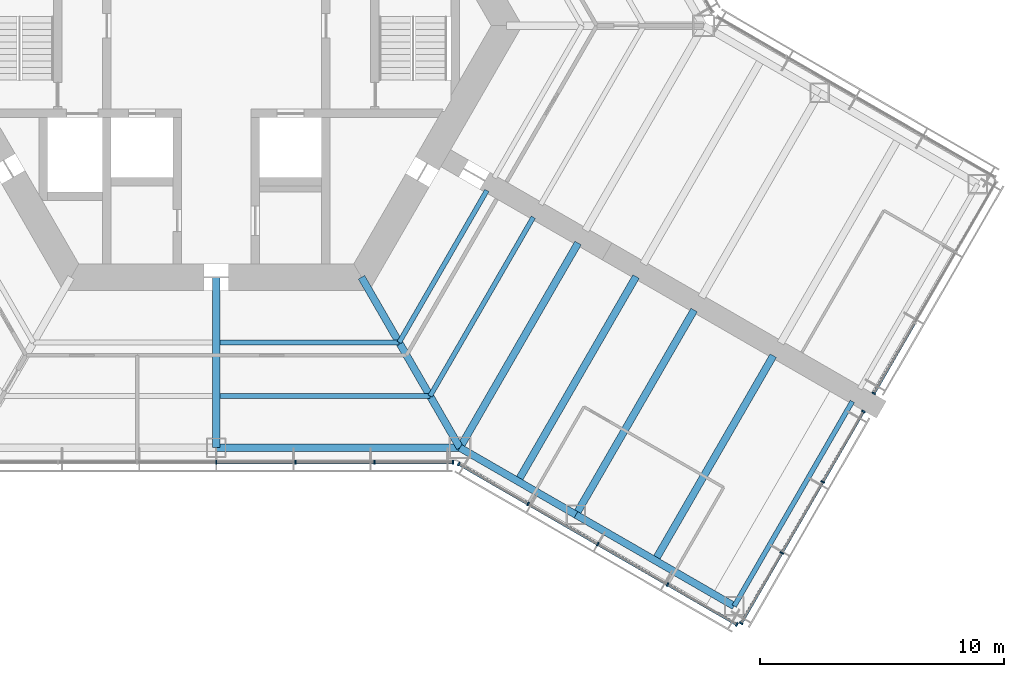
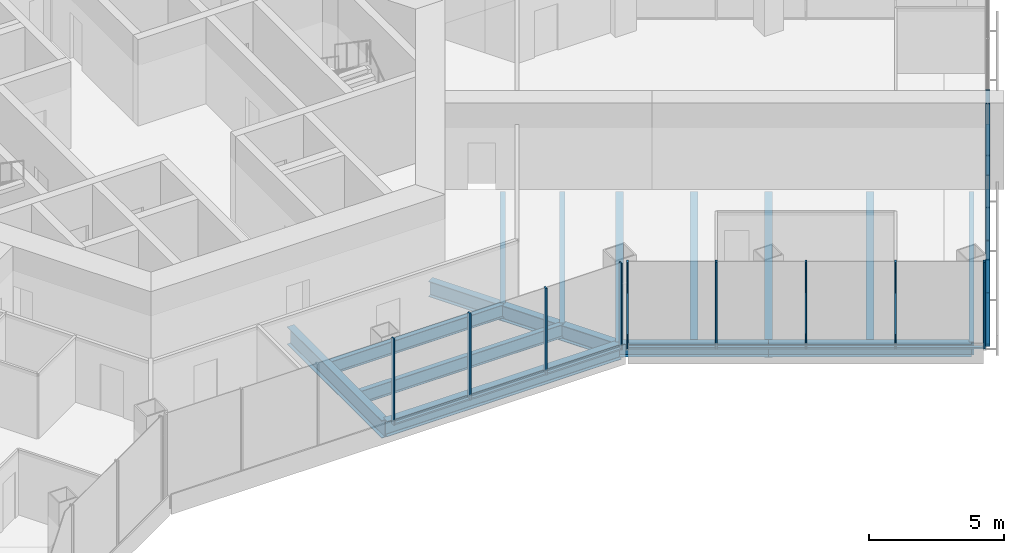
# One storey, part 5 of 18: 25 members, 14 beams, 4 elements without a shape of their own.
"""IFC4 building model written with IfcOpenShell, lengths in metres."""

from ifc_helpers import new_model, si_unit, direction, frame, origin, origin_2d, place, context, subcontext, project, spatial, rectangle, i_section, extrude, material, material_profile, profile_set, type_object, element, aggregate, save


model = new_model("IFC4")

# Units and contexts
model_context = context("Model", 3, precision=1e-05, world=origin(), true_north=direction((0.0, 1.0)))
body_context = subcontext(model_context, "Body", "Model", "MODEL_VIEW")
ifc_project = project(units=[si_unit("LENGTHUNIT", "METRE"), si_unit("AREAUNIT", "SQUARE_METRE"), si_unit("VOLUMEUNIT", "CUBIC_METRE"), si_unit("PLANEANGLEUNIT", "RADIAN"), si_unit("MASSUNIT", "GRAM", prefix="KILO")], contexts=[model_context])

# Site, building, storey
site_placement = place(None, origin())
site = spatial("IfcSite", under=ifc_project, at=site_placement, CompositionType="ELEMENT")
building_placement = place(site_placement, origin())
building = spatial("IfcBuilding", under=site, at=building_placement, Name="Kasaneha Research Tower", CompositionType="ELEMENT")
storey_placement = place(building_placement, frame((0.0, 0.0, 80.699951171875)))
storey = spatial("IfcBuildingStorey", under=building, at=storey_placement, Name="L20", CompositionType="ELEMENT", Elevation=80.699951171875)

# Beams
ifc_material_1 = material(Name="Steel SN490B", Category="steel")
ifc_material_profile_1 = material_profile(ifc_material_1, i_section(OverallWidth=0.199951171875, OverallDepth=0.60009765625, WebThickness=0.010986328125, FlangeThickness=0.01708984375, FilletRadius=0.012939453125, at=origin_2d()), Name="H-600x200x11x17")
ifc_profile_set_1 = profile_set([ifc_material_profile_1], Name="Steel SN490B")
beam_type_1 = type_object("IfcBeamType", Name="B1-3 secondary beam H-600x200x11x17", PredefinedType="JOIST", material=ifc_profile_set_1)
beam_1_placement = place(storey_placement, frame((7.505615234375, -13.0, -0.449951171875), z_axis=(-1.0, 0.0, 0.0), x_axis=(0.0, -1.0, 0.0)))
element("IfcBeam", 1, at=beam_1_placement, inside=storey, type_object=beam_type_1, Name="Secondary beam RS270R1 L20", PredefinedType="JOIST", context=body_context, shape_type="SweptSolid", body=[
    extrude(i_section(OverallWidth=0.199951171875, OverallDepth=0.60009765625, WebThickness=0.010986328125, FlangeThickness=0.01708984375, FilletRadius=0.012939453125, at=origin_2d()), origin(), (0.0, 0.0, 1.0), 7.355712890625),
])
beam_2_placement = place(storey_placement, frame((8.775634765625, -15.199951171875, -0.449951171875), z_axis=(-1.0, 0.0, 0.0), x_axis=(0.0, -1.0, 0.0)))
element("IfcBeam", 2, at=beam_2_placement, inside=storey, type_object=beam_type_1, Name="Secondary beam RS270R2 L20", PredefinedType="JOIST", context=body_context, shape_type="SweptSolid", body=[
    extrude(i_section(OverallWidth=0.199951171875, OverallDepth=0.60009765625, WebThickness=0.010986328125, FlangeThickness=0.01708984375, FilletRadius=0.012939453125, at=origin_2d()), origin(), (0.0, 0.0, 1.0), 8.625732421875),
])
beam_3_placement = place(storey_placement, frame((7.505615234375, -13.0, -0.449951171875), z_axis=(0.499998147991, 0.86602647304, 0.0), x_axis=(-0.86602647304, 0.499998147991, 0.0)))
element("IfcBeam", 3, at=beam_3_placement, inside=storey, type_object=beam_type_1, Name="Secondary beam RS330L1 L20", PredefinedType="JOIST", context=body_context, shape_type="SweptSolid", body=[
    extrude(i_section(OverallWidth=0.199951171875, OverallDepth=0.60009765625, WebThickness=0.010986328125, FlangeThickness=0.01708984375, FilletRadius=0.012939453125, at=origin_2d()), origin(), (0.0, 0.0, 1.0), 7.20556640625),
])
beam_4_placement = place(storey_placement, frame((8.775634765625, -15.199951171875, -0.449951171875), z_axis=(0.500020829043, 0.866013377797, 0.0), x_axis=(-0.866013377797, 0.500020829043, 0.0)))
element("IfcBeam", 4, at=beam_4_placement, inside=storey, type_object=beam_type_1, Name="Secondary beam RS330L2 L20", PredefinedType="JOIST", context=body_context, shape_type="SweptSolid", body=[
    extrude(i_section(OverallWidth=0.199951171875, OverallDepth=0.60009765625, WebThickness=0.010986328125, FlangeThickness=0.01708984375, FilletRadius=0.012939453125, at=origin_2d()), origin(), (0.0, 0.0, 1.0), 8.475830078125),
])
ifc_material_2 = material(Name="Steel SN490B", Category="steel")
ifc_material_profile_2 = material_profile(ifc_material_2, i_section(OverallWidth=0.300048828125, OverallDepth=0.58203125, WebThickness=0.011962890625, FlangeThickness=0.01708984375, FilletRadius=0.012939453125, at=origin_2d()), Name="H-582x300x12x17")
ifc_profile_set_2 = profile_set([ifc_material_profile_2], Name="Steel SN490B")
beam_type_2 = type_object("IfcBeamType", Name="B2-3 secondary beam H-582x300x12x17", PredefinedType="JOIST", material=ifc_profile_set_2)
for number, where, z_axis, x_axis, name in (
    (5, (12.381591796875, -18.695556640625, -0.44091796875), (0.500010041276, 0.866019606374, 0.0), (-0.866019606374, 0.500010041276, 0.0), "Secondary beam WBCP1 L20"),
    (6, (18.0107421875, -21.945556640625, -0.44091796875), (0.500010041276, 0.866019606374, 0.0), (-0.866019606374, 0.500010041276, 0.0), "Secondary beam WBCP2 L20"),
):
    element("IfcBeam", number, at=place(storey_placement, frame(where, z_axis=z_axis, x_axis=x_axis)), inside=storey, type_object=beam_type_2, Name=name, PredefinedType="JOIST", context=body_context, shape_type="SweptSolid", body=[
        extrude(i_section(OverallWidth=0.300048828125, OverallDepth=0.58203125, WebThickness=0.011962890625, FlangeThickness=0.01708984375, FilletRadius=0.012939453125, at=origin_2d()), origin(), (0.0, 0.0, 1.0), 9.699951171875),
    ])

# Curtain wall, members
ifc_material_3 = material(Name="Glass and aluminium", Category="aluminium")
curtain_wall_type = type_object("IfcCurtainWallType", Name="Low-rise office curtain wall", PredefinedType="USERDEFINED", material=ifc_material_3)
curtain_wall_1_placement = place(storey_placement, origin())
curtain_wall_1 = element("IfcCurtainWall", 7, at=curtain_wall_1_placement, inside=storey, type_object=curtain_wall_type, Name="CW-O1 L20 run 02a", ObjectType="UNITISED CURTAIN WALL", PredefinedType="USERDEFINED")
ifc_material_4 = material(Name="Aluminium 6063-T6", Category="aluminium")
ifc_material_profile_3 = material_profile(ifc_material_4, rectangle(XDim=0.06005859375, YDim=0.159912109375, at=origin_2d()), Name="CW-O1 mullion 60x160")
ifc_profile_set_3 = profile_set([ifc_material_profile_3], Name="Aluminium 6063-T6")
member_type_1 = type_object("IfcMemberType", Name="CW-O1 mullion", PredefinedType="MULLION", material=ifc_profile_set_3)
member_1_placement = place(storey_placement, frame((0.0, -17.92041015625, 0.0), z_axis=(0.0, 0.0, 1.0), x_axis=(1.0, 0.0, 0.0)))
member_1 = element("IfcMember", 8, at=member_1_placement, type_object=member_type_1, Name="CW-O1 mullion 4", PredefinedType="MULLION", context=body_context, shape_type="SweptSolid", body=[
    extrude(rectangle(XDim=0.06005859375, YDim=0.159912109375, at=origin_2d()), origin(), (0.0, 0.0, 1.0), 3.900146484375),
])
member_2_placement = place(storey_placement, frame((3.246337890625, -17.92041015625, 0.0), z_axis=(0.0, 0.0, 1.0), x_axis=(1.0, 0.0, 0.0)))
member_2 = element("IfcMember", 9, at=member_2_placement, type_object=member_type_1, Name="CW-O1 mullion 5", PredefinedType="MULLION", context=body_context, shape_type="SweptSolid", body=[
    extrude(rectangle(XDim=0.06005859375, YDim=0.159912109375, at=origin_2d()), origin(), (0.0, 0.0, 1.0), 3.900146484375),
])
member_3_placement = place(storey_placement, frame((6.492919921875, -17.92041015625, 0.0), z_axis=(0.0, 0.0, 1.0), x_axis=(1.0, 0.0, 0.0)))
member_3 = element("IfcMember", 10, at=member_3_placement, type_object=member_type_1, Name="CW-O1 mullion 6", PredefinedType="MULLION", context=body_context, shape_type="SweptSolid", body=[
    extrude(rectangle(XDim=0.06005859375, YDim=0.159912109375, at=origin_2d()), origin(), (0.0, 0.0, 1.0), 3.900146484375),
])
member_4_placement = place(storey_placement, frame((9.709228515625, -17.92041015625, 0.0), z_axis=(0.0, 0.0, 1.0), x_axis=(1.0, 0.0, 0.0)))
member_4 = element("IfcMember", 11, at=member_4_placement, type_object=member_type_1, Name="CW-O1 mullion 7", PredefinedType="MULLION", context=body_context, shape_type="SweptSolid", body=[
    extrude(rectangle(XDim=0.06005859375, YDim=0.159912109375, at=origin_2d()), origin(), (0.0, 0.0, 1.0), 3.900146484375),
])

curtain_wall_2_placement = place(storey_placement, origin())
curtain_wall_2 = element("IfcCurtainWall", 12, at=curtain_wall_2_placement, inside=storey, type_object=curtain_wall_type, Name="CW-O1 L20 run 03a", ObjectType="UNITISED CURTAIN WALL", PredefinedType="USERDEFINED")
member_5_placement = place(storey_placement, frame((9.951904296875, -17.985595703125, 0.0), z_axis=(0.0, 0.0, 1.0), x_axis=(0.866025411464, -0.499999986699, 0.0)))
member_5 = element("IfcMember", 13, at=member_5_placement, type_object=member_type_1, Name="CW-O1 mullion 1", PredefinedType="MULLION", context=body_context, shape_type="SweptSolid", body=[
    extrude(rectangle(XDim=0.06005859375, YDim=0.159912109375, at=origin_2d()), origin(), (0.0, 0.0, 1.0), 3.900146484375),
])
member_6_placement = place(storey_placement, frame((12.792236328125, -19.62548828125, 0.0), z_axis=(0.0, 0.0, 1.0), x_axis=(0.866025411464, -0.499999986699, 0.0)))
member_6 = element("IfcMember", 14, at=member_6_placement, type_object=member_type_1, Name="CW-O1 mullion 2", PredefinedType="MULLION", context=body_context, shape_type="SweptSolid", body=[
    extrude(rectangle(XDim=0.06005859375, YDim=0.159912109375, at=origin_2d()), origin(), (0.0, 0.0, 1.0), 3.900146484375),
])
member_7_placement = place(storey_placement, frame((15.65869140625, -21.2802734375, 0.0), z_axis=(0.0, 0.0, 1.0), x_axis=(0.866025411464, -0.499999986699, 0.0)))
member_7 = element("IfcMember", 15, at=member_7_placement, type_object=member_type_1, Name="CW-O1 mullion 3", PredefinedType="MULLION", context=body_context, shape_type="SweptSolid", body=[
    extrude(rectangle(XDim=0.06005859375, YDim=0.159912109375, at=origin_2d()), origin(), (0.0, 0.0, 1.0), 3.900146484375),
])
member_8_placement = place(storey_placement, frame((18.52490234375, -22.935302734375, 0.0), z_axis=(0.0, 0.0, 1.0), x_axis=(0.866025411464, -0.499999986699, 0.0)))
member_8 = element("IfcMember", 16, at=member_8_placement, type_object=member_type_1, Name="CW-O1 mullion 4", PredefinedType="MULLION", context=body_context, shape_type="SweptSolid", body=[
    extrude(rectangle(XDim=0.06005859375, YDim=0.159912109375, at=origin_2d()), origin(), (0.0, 0.0, 1.0), 3.900146484375),
])
member_9_placement = place(storey_placement, frame((21.365478515625, -24.5751953125, 0.0), z_axis=(0.0, 0.0, 1.0), x_axis=(0.866025411464, -0.499999986699, 0.0)))
member_9 = element("IfcMember", 17, at=member_9_placement, type_object=member_type_1, Name="CW-O1 mullion 5", PredefinedType="MULLION", context=body_context, shape_type="SweptSolid", body=[
    extrude(rectangle(XDim=0.06005859375, YDim=0.159912109375, at=origin_2d()), origin(), (0.0, 0.0, 1.0), 3.900146484375),
])

curtain_wall_3_placement = place(storey_placement, origin())
curtain_wall_3 = element("IfcCurtainWall", 18, at=curtain_wall_3_placement, inside=storey, type_object=curtain_wall_type, Name="CW-O1 L20 run 04a", ObjectType="UNITISED CURTAIN WALL", PredefinedType="USERDEFINED")
member_10_placement = place(storey_placement, frame((21.54296875, -24.527587890625, 0.0), z_axis=(0.0, 0.0, 1.0), x_axis=(0.500000011442, 0.866025397178, 0.0)))
member_10 = element("IfcMember", 19, at=member_10_placement, type_object=member_type_1, Name="CW-O1 mullion 1", PredefinedType="MULLION", context=body_context, shape_type="SweptSolid", body=[
    extrude(rectangle(XDim=0.06005859375, YDim=0.159912109375, at=origin_2d()), origin(), (0.0, 0.0, 1.0), 3.900146484375),
])
member_11_placement = place(storey_placement, frame((23.211181640625, -21.637939453125, 0.0), z_axis=(0.0, 0.0, 1.0), x_axis=(0.500000011442, 0.866025397178, 0.0)))
member_11 = element("IfcMember", 20, at=member_11_placement, type_object=member_type_1, Name="CW-O1 mullion 2", PredefinedType="MULLION", context=body_context, shape_type="SweptSolid", body=[
    extrude(rectangle(XDim=0.06005859375, YDim=0.159912109375, at=origin_2d()), origin(), (0.0, 0.0, 1.0), 3.900146484375),
])
member_12_placement = place(storey_placement, frame((24.89453125, -18.72216796875, 0.0), z_axis=(0.0, 0.0, 1.0), x_axis=(0.500000011442, 0.866025397178, 0.0)))
member_12 = element("IfcMember", 21, at=member_12_placement, type_object=member_type_1, Name="CW-O1 mullion 3", PredefinedType="MULLION", context=body_context, shape_type="SweptSolid", body=[
    extrude(rectangle(XDim=0.06005859375, YDim=0.159912109375, at=origin_2d()), origin(), (0.0, 0.0, 1.0), 3.900146484375),
])
member_13_placement = place(storey_placement, frame((26.56298828125, -15.832763671875, 0.0), z_axis=(0.0, 0.0, 1.0), x_axis=(0.500000011442, 0.866025397178, 0.0)))
member_13 = element("IfcMember", 22, at=member_13_placement, type_object=member_type_1, Name="CW-O1 mullion 4", PredefinedType="MULLION", context=body_context, shape_type="SweptSolid", body=[
    extrude(rectangle(XDim=0.06005859375, YDim=0.159912109375, at=origin_2d()), origin(), (0.0, 0.0, 1.0), 3.900146484375),
])

# Curtain wall, member
curtain_wall_4_placement = place(storey_placement, origin())
curtain_wall_4 = element("IfcCurtainWall", 23, at=curtain_wall_4_placement, inside=storey, type_object=curtain_wall_type, Name="CW-O1 L20 run 05a", ObjectType="UNITISED CURTAIN WALL", PredefinedType="USERDEFINED")
member_14_placement = place(storey_placement, frame((26.992919921875, -15.087890625, 0.0), z_axis=(0.0, 0.0, 1.0), x_axis=(0.500000011442, 0.866025397178, 0.0)))
member_14 = element("IfcMember", 24, at=member_14_placement, type_object=member_type_1, Name="CW-O1 mullion 1", PredefinedType="MULLION", context=body_context, shape_type="SweptSolid", body=[
    extrude(rectangle(XDim=0.06005859375, YDim=0.159912109375, at=origin_2d()), origin(), (0.0, 0.0, 1.0), 3.900146484375),
])

# Member
ifc_material_5 = material(Name="Aluminium 6063-T6", Category="aluminium")
ifc_material_profile_4 = material_profile(ifc_material_5, rectangle(XDim=0.1201171875, YDim=0.06005859375, at=origin_2d()), Name="CW-O1 transom 120x60")
ifc_profile_set_4 = profile_set([ifc_material_profile_4], Name="Aluminium 6063-T6")
member_type_2 = type_object("IfcMemberType", Name="CW-O1 transom", PredefinedType="USERDEFINED", material=ifc_profile_set_4)
member_15_placement = place(storey_placement, frame((0.030029296875, -17.92041015625, 0.030029296875), z_axis=(1.0, 0.0, 0.0), x_axis=(0.0, 1.0, 0.0)))
member_15 = element("IfcMember", 25, at=member_15_placement, type_object=member_type_2, Name="CW-O1 transom 4", ObjectType="TRANSOM", PredefinedType="USERDEFINED", context=body_context, shape_type="SweptSolid", body=[
    extrude(rectangle(XDim=0.1201171875, YDim=0.06005859375, at=origin_2d()), origin(), (0.0, 0.0, 1.0), 3.186279296875),
])

member_16_placement = place(storey_placement, frame((3.2763671875, -17.92041015625, 0.030029296875), z_axis=(1.0, 0.0, 0.0), x_axis=(0.0, 1.0, 0.0)))
member_16 = element("IfcMember", 26, at=member_16_placement, type_object=member_type_2, Name="CW-O1 transom 5", ObjectType="TRANSOM", PredefinedType="USERDEFINED", context=body_context, shape_type="SweptSolid", body=[
    extrude(rectangle(XDim=0.1201171875, YDim=0.06005859375, at=origin_2d()), origin(), (0.0, 0.0, 1.0), 3.1865234375),
])

member_17_placement = place(storey_placement, frame((6.522705078125, -17.92041015625, 0.030029296875), z_axis=(1.0, 0.0, 0.0), x_axis=(0.0, 1.0, 0.0)))
member_17 = element("IfcMember", 27, at=member_17_placement, type_object=member_type_2, Name="CW-O1 transom 6", ObjectType="TRANSOM", PredefinedType="USERDEFINED", context=body_context, shape_type="SweptSolid", body=[
    extrude(rectangle(XDim=0.1201171875, YDim=0.06005859375, at=origin_2d()), origin(), (0.0, 0.0, 1.0), 3.156494140625),
])

aggregate(curtain_wall_1, [member_1, member_2, member_3, member_4, member_15, member_16, member_17])

member_18_placement = place(storey_placement, frame((9.977783203125, -18.00048828125, 0.030029296875), z_axis=(0.866022692473, -0.500004696101, 0.0), x_axis=(0.500004696101, 0.866022692473, 0.0)))
member_18 = element("IfcMember", 28, at=member_18_placement, type_object=member_type_2, Name="CW-O1 transom 1", ObjectType="TRANSOM", PredefinedType="USERDEFINED", context=body_context, shape_type="SweptSolid", body=[
    extrude(rectangle(XDim=0.1201171875, YDim=0.06005859375, at=origin_2d()), origin(), (0.0, 0.0, 1.0), 3.2197265625),
])

member_19_placement = place(storey_placement, frame((12.818115234375, -19.640380859375, 0.030029296875), z_axis=(0.866015446554, -0.500017246033, 0.0), x_axis=(0.500017246033, 0.866015446554, 0.0)))
member_19 = element("IfcMember", 29, at=member_19_placement, type_object=member_type_2, Name="CW-O1 transom 2", ObjectType="TRANSOM", PredefinedType="USERDEFINED", context=body_context, shape_type="SweptSolid", body=[
    extrude(rectangle(XDim=0.1201171875, YDim=0.06005859375, at=origin_2d()), origin(), (0.0, 0.0, 1.0), 3.25),
])

member_20_placement = place(storey_placement, frame((15.6845703125, -21.29541015625, 0.030029296875), z_axis=(0.86604797581, -0.499960902066, 0.0), x_axis=(0.499960902066, 0.86604797581, 0.0)))
member_20 = element("IfcMember", 30, at=member_20_placement, type_object=member_type_2, Name="CW-O1 transom 3", ObjectType="TRANSOM", PredefinedType="USERDEFINED", context=body_context, shape_type="SweptSolid", body=[
    extrude(rectangle(XDim=0.1201171875, YDim=0.06005859375, at=origin_2d()), origin(), (0.0, 0.0, 1.0), 3.249755859375),
])

member_21_placement = place(storey_placement, frame((18.551025390625, -22.9501953125, 0.030029296875), z_axis=(0.866022692473, -0.500004696101, 0.0), x_axis=(0.500004696101, 0.866022692473, 0.0)))
member_21 = element("IfcMember", 31, at=member_21_placement, type_object=member_type_2, Name="CW-O1 transom 4", ObjectType="TRANSOM", PredefinedType="USERDEFINED", context=body_context, shape_type="SweptSolid", body=[
    extrude(rectangle(XDim=0.1201171875, YDim=0.06005859375, at=origin_2d()), origin(), (0.0, 0.0, 1.0), 3.2197265625),
])

aggregate(curtain_wall_2, [member_5, member_6, member_7, member_8, member_9, member_18, member_19, member_20, member_21])

member_22_placement = place(storey_placement, frame((21.557861328125, -24.50146484375, 0.030029296875), z_axis=(0.500025583411, 0.866010632691, 0.0), x_axis=(-0.866010632691, 0.500025583411, 0.0)))
member_22 = element("IfcMember", 32, at=member_22_placement, type_object=member_type_2, Name="CW-O1 transom 1", ObjectType="TRANSOM", PredefinedType="USERDEFINED", context=body_context, shape_type="SweptSolid", body=[
    extrude(rectangle(XDim=0.1201171875, YDim=0.06005859375, at=origin_2d()), origin(), (0.0, 0.0, 1.0), 3.276611328125),
])

member_23_placement = place(storey_placement, frame((23.226318359375, -21.61181640625, 0.030029296875), z_axis=(0.500014325468, 0.866017132814, 0.0), x_axis=(-0.866017132814, 0.500014325468, 0.0)))
member_23 = element("IfcMember", 33, at=member_23_placement, type_object=member_type_2, Name="CW-O1 transom 2", ObjectType="TRANSOM", PredefinedType="USERDEFINED", context=body_context, shape_type="SweptSolid", body=[
    extrude(rectangle(XDim=0.1201171875, YDim=0.06005859375, at=origin_2d()), origin(), (0.0, 0.0, 1.0), 3.306640625),
])

member_24_placement = place(storey_placement, frame((24.90966796875, -18.6962890625, 0.030029296875), z_axis=(0.499969700927, 0.866042896256, 0.0), x_axis=(-0.866042896256, 0.499969700927, 0.0)))
member_24 = element("IfcMember", 34, at=member_24_placement, type_object=member_type_2, Name="CW-O1 transom 3", ObjectType="TRANSOM", PredefinedType="USERDEFINED", context=body_context, shape_type="SweptSolid", body=[
    extrude(rectangle(XDim=0.1201171875, YDim=0.06005859375, at=origin_2d()), origin(), (0.0, 0.0, 1.0), 3.276611328125),
])

aggregate(curtain_wall_3, [member_10, member_11, member_12, member_13, member_22, member_23, member_24])

member_25_placement = place(storey_placement, frame((27.008056640625, -15.061767578125, 0.030029296875), z_axis=(0.499969700927, 0.866042896256, 0.0), x_axis=(-0.866042896256, 0.499969700927, 0.0)))
member_25 = element("IfcMember", 35, at=member_25_placement, type_object=member_type_2, Name="CW-O1 transom 1", ObjectType="TRANSOM", PredefinedType="USERDEFINED", context=body_context, shape_type="SweptSolid", body=[
    extrude(rectangle(XDim=0.1201171875, YDim=0.06005859375, at=origin_2d()), origin(), (0.0, 0.0, 1.0), 3.276611328125),
])

aggregate(curtain_wall_4, [member_14, member_25])

# Beams
ifc_material_6 = material(Name="Steel SN490B", Category="steel")
ifc_material_profile_5 = material_profile(ifc_material_6, i_section(OverallWidth=0.300048828125, OverallDepth=0.699951171875, WebThickness=0.012939453125, FlangeThickness=0.02392578125, FilletRadius=0.01806640625, at=origin_2d()), Name="H-700x300x13x24")
ifc_profile_set_5 = profile_set([ifc_material_profile_5], Name="Steel SN490B")
beam_type_3 = type_object("IfcBeamType", Name="G1-3 radial girder H-700x300x13x24", PredefinedType="BEAM", material=ifc_profile_set_5)
beam_5_placement = place(storey_placement, frame((5.961181640625, -10.324951171875, -0.5), z_axis=(0.49999105496, -0.866030568144, 0.0), x_axis=(0.866030568144, 0.49999105496, 0.0)))
element("IfcBeam", 36, at=beam_5_placement, inside=storey, type_object=beam_type_3, Name="Radial girder RV300 L20", PredefinedType="BEAM", context=body_context, shape_type="SweptSolid", body=[
    extrude(i_section(OverallWidth=0.300048828125, OverallDepth=0.699951171875, WebThickness=0.012939453125, FlangeThickness=0.02392578125, FilletRadius=0.01806640625, at=origin_2d()), origin(), (0.0, 0.0, 1.0), 8.077880859375),
])
ifc_material_7 = material(Name="Steel SN490B", Category="steel")
ifc_material_profile_6 = material_profile(ifc_material_7, i_section(OverallWidth=0.300048828125, OverallDepth=0.800048828125, WebThickness=0.013916015625, FlangeThickness=0.02587890625, FilletRadius=0.01806640625, at=origin_2d()), Name="H-800x300x14x26")
ifc_profile_set_6 = profile_set([ifc_material_profile_6], Name="Steel SN490B")
beam_type_4 = type_object("IfcBeamType", Name="G2-3 radial girder H-800x300x14x26", PredefinedType="BEAM", material=ifc_profile_set_6)
beam_6_placement = place(storey_placement, frame((0.0, -10.324951171875, -0.550048828125), z_axis=(0.0, -1.0, 0.0), x_axis=(1.0, 0.0, 0.0)))
element("IfcBeam", 37, at=beam_6_placement, inside=storey, type_object=beam_type_4, Name="Radial girder RM270 L20", PredefinedType="BEAM", context=body_context, shape_type="SweptSolid", body=[
    extrude(i_section(OverallWidth=0.300048828125, OverallDepth=0.800048828125, WebThickness=0.013916015625, FlangeThickness=0.02587890625, FilletRadius=0.01806640625, at=origin_2d()), origin(), (0.0, 0.0, 1.0), 6.99560546875),
])
ifc_material_8 = material(Name="Steel SN490B", Category="steel")
ifc_material_profile_7 = material_profile(ifc_material_8, i_section(OverallWidth=0.300048828125, OverallDepth=0.69189453125, WebThickness=0.012939453125, FlangeThickness=0.02001953125, FilletRadius=0.01806640625, at=origin_2d()), Name="H-692x300x13x20")
ifc_profile_set_7 = profile_set([ifc_material_profile_7], Name="Steel SN490B")
beam_type_5 = type_object("IfcBeamType", Name="G3-3 plate edge girder H-692x300x13x20", PredefinedType="BEAM", material=ifc_profile_set_7)
beam_7_placement = place(storey_placement, frame((10.0, -17.320556640625, -0.495849609375), z_axis=(0.500010041276, 0.866019606374, 0.0), x_axis=(-0.866019606374, 0.500010041276, 0.0)))
element("IfcBeam", 38, at=beam_7_placement, inside=storey, type_object=beam_type_5, Name="Plate edge girder PECP L20", PredefinedType="BEAM", context=body_context, shape_type="SweptSolid", body=[
    extrude(i_section(OverallWidth=0.300048828125, OverallDepth=0.69189453125, WebThickness=0.012939453125, FlangeThickness=0.02001953125, FilletRadius=0.01806640625, at=origin_2d()), origin(), (0.0, 0.0, 1.0), 9.699951171875),
])
ifc_material_9 = material(Name="Steel SN490B", Category="steel")
ifc_material_profile_8 = material_profile(ifc_material_9, i_section(OverallWidth=0.300048828125, OverallDepth=0.699951171875, WebThickness=0.012939453125, FlangeThickness=0.02392578125, FilletRadius=0.01806640625, at=origin_2d()), Name="H-700x300x13x24")
ifc_profile_set_8 = profile_set([ifc_material_profile_8], Name="Steel SN490B")
beam_type_6 = type_object("IfcBeamType", Name="G4-3 wing girder H-700x300x13x24", PredefinedType="BEAM", material=ifc_profile_set_8)
beam_8_placement = place(storey_placement, frame((14.76318359375, -20.070556640625, -0.5), z_axis=(0.499991164321, 0.866030505006, 0.0), x_axis=(-0.866030505006, 0.499991164321, 0.0)))
element("IfcBeam", 39, at=beam_8_placement, inside=storey, type_object=beam_type_6, Name="Wing girder WGCP L20", PredefinedType="BEAM", context=body_context, shape_type="SweptSolid", body=[
    extrude(i_section(OverallWidth=0.300048828125, OverallDepth=0.699951171875, WebThickness=0.012939453125, FlangeThickness=0.02392578125, FilletRadius=0.01806640625, at=origin_2d()), origin(), (0.0, 0.0, 1.0), 9.699951171875),
])
ifc_material_10 = material(Name="Steel SN490B", Category="steel")
ifc_material_profile_9 = material_profile(ifc_material_10, i_section(OverallWidth=0.300048828125, OverallDepth=0.69189453125, WebThickness=0.012939453125, FlangeThickness=0.02001953125, FilletRadius=0.01806640625, at=origin_2d()), Name="H-692x300x13x20")
ifc_profile_set_9 = profile_set([ifc_material_profile_9], Name="Steel SN490B")
beam_type_7 = type_object("IfcBeamType", Name="SB1-3 spandrel beam H-692x300x13x20", PredefinedType="SPANDREL", material=ifc_profile_set_9)
beam_9_placement = place(storey_placement, frame((10.0, -17.320556640625, -0.495849609375), z_axis=(-1.0, 0.0, 0.0), x_axis=(0.0, -1.0, 0.0)))
element("IfcBeam", 40, at=beam_9_placement, inside=storey, type_object=beam_type_7, Name="Spandrel beam SR270R L20", PredefinedType="SPANDREL", context=body_context, shape_type="SweptSolid", body=[
    extrude(i_section(OverallWidth=0.300048828125, OverallDepth=0.69189453125, WebThickness=0.012939453125, FlangeThickness=0.02001953125, FilletRadius=0.01806640625, at=origin_2d()), origin(), (0.0, 0.0, 1.0), 10.0),
])
ifc_material_11 = material(Name="Steel SN490B", Category="steel")
ifc_material_profile_10 = material_profile(ifc_material_11, i_section(OverallWidth=0.300048828125, OverallDepth=0.58203125, WebThickness=0.011962890625, FlangeThickness=0.01708984375, FilletRadius=0.012939453125, at=origin_2d()), Name="H-582x300x12x17")
ifc_profile_set_10 = profile_set([ifc_material_profile_10], Name="Steel SN490B")
beam_type_8 = type_object("IfcBeamType", Name="SB2-3 spandrel beam H-582x300x12x17", PredefinedType="SPANDREL", material=ifc_profile_set_10)
beam_10_placement = place(storey_placement, frame((10.0, -17.320556640625, -0.44091796875), z_axis=(0.866027397988, -0.499996545922, 0.0), x_axis=(0.499996545922, 0.866027397988, 0.0)))
element("IfcBeam", 41, at=beam_10_placement, inside=storey, type_object=beam_type_8, Name="Spandrel beam WSCP1 L20", PredefinedType="SPANDREL", context=body_context, shape_type="SweptSolid", body=[
    extrude(i_section(OverallWidth=0.300048828125, OverallDepth=0.58203125, WebThickness=0.011962890625, FlangeThickness=0.01708984375, FilletRadius=0.012939453125, at=origin_2d()), origin(), (0.0, 0.0, 1.0), 5.5),
])
beam_11_placement = place(storey_placement, frame((14.76318359375, -20.070556640625, -0.44091796875), z_axis=(0.866022959057, -0.500004234368, 0.0), x_axis=(0.500004234368, 0.866022959057, 0.0)))
element("IfcBeam", 42, at=beam_11_placement, inside=storey, type_object=beam_type_8, Name="Spandrel beam WSCP2 L20", PredefinedType="SPANDREL", context=body_context, shape_type="SweptSolid", body=[
    extrude(i_section(OverallWidth=0.300048828125, OverallDepth=0.58203125, WebThickness=0.011962890625, FlangeThickness=0.01708984375, FilletRadius=0.012939453125, at=origin_2d()), origin(), (0.0, 0.0, 1.0), 7.5),
])
ifc_material_12 = material(Name="Steel SN490B", Category="steel")
ifc_material_profile_11 = material_profile(ifc_material_12, i_section(OverallWidth=0.199951171875, OverallDepth=0.60009765625, WebThickness=0.010986328125, FlangeThickness=0.01708984375, FilletRadius=0.012939453125, at=origin_2d()), Name="H-600x200x11x17")
ifc_profile_set_11 = profile_set([ifc_material_profile_11], Name="Steel SN490B")
beam_type_9 = type_object("IfcBeamType", Name="SB3-3 spandrel beam H-600x200x11x17", PredefinedType="SPANDREL", material=ifc_profile_set_11)
beam_12_placement = place(storey_placement, frame((21.25830078125, -23.820556640625, -0.449951171875), z_axis=(0.500010041276, 0.866019606374, 0.0), x_axis=(-0.866019606374, 0.500010041276, 0.0)))
element("IfcBeam", 43, at=beam_12_placement, inside=storey, type_object=beam_type_9, Name="Spandrel beam WTCP L20", PredefinedType="SPANDREL", context=body_context, shape_type="SweptSolid", body=[
    extrude(i_section(OverallWidth=0.199951171875, OverallDepth=0.60009765625, WebThickness=0.010986328125, FlangeThickness=0.01708984375, FilletRadius=0.012939453125, at=origin_2d()), origin(), (0.0, 0.0, 1.0), 9.699951171875),
])

save(model, "model.ifc")
